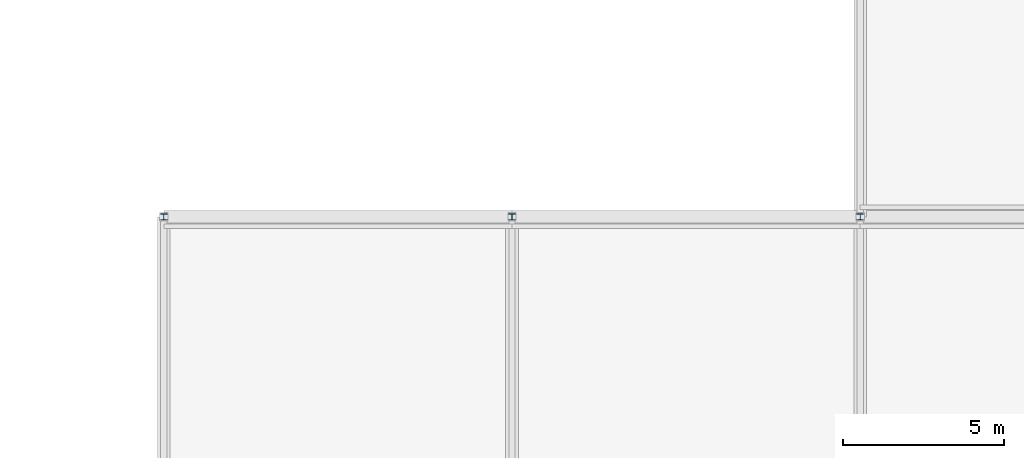
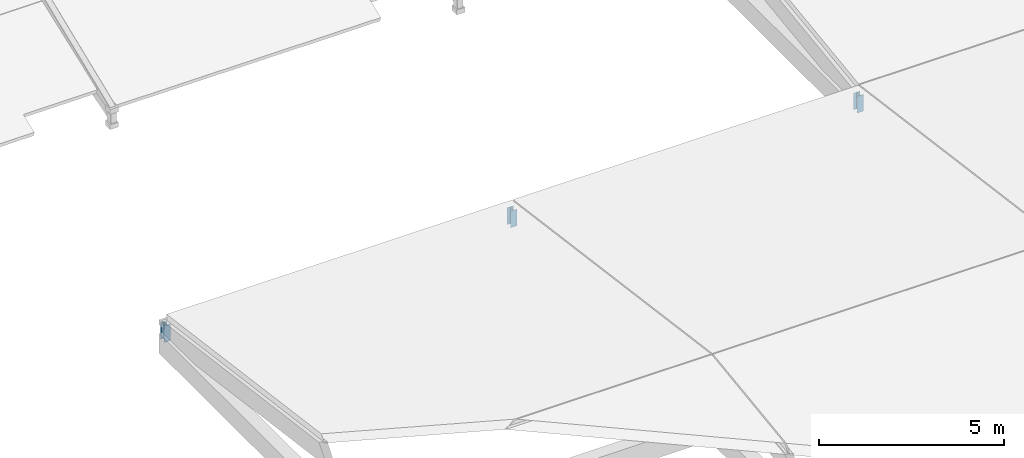
# One storey, part 84 of 112: 3 members.
"""IFC4 building model written with IfcOpenShell, lengths in metres."""

from ifc_helpers import new_model, si_unit, direction, frame, origin, origin_2d, place, context, subcontext, project, spatial, i_section, extrude, material, material_profile, profile_set, type_object, element, save


model = new_model("IFC4")

# Units and contexts
model_context = context("Model", 3, precision=1e-05, world=origin(), true_north=direction((0.0, 1.0)))
body_context = subcontext(model_context, "Body", "Model", "MODEL_VIEW")
ifc_project = project(units=[si_unit("LENGTHUNIT", "METRE"), si_unit("AREAUNIT", "SQUARE_METRE"), si_unit("VOLUMEUNIT", "CUBIC_METRE"), si_unit("PLANEANGLEUNIT", "RADIAN"), si_unit("MASSUNIT", "GRAM", prefix="KILO")], contexts=[model_context])

# Site, building, storey
site_placement = place(None, origin())
site = spatial("IfcSite", under=ifc_project, at=site_placement, CompositionType="ELEMENT")
building_placement = place(site_placement, origin())
building = spatial("IfcBuilding", under=site, at=building_placement, Name="Zwinboog Wholesale Market", CompositionType="ELEMENT")
storey_placement = place(building_placement, frame((0.0, 0.0, 19.080078125)))
storey = spatial("IfcBuildingStorey", under=building, at=storey_placement, Name="Roof", CompositionType="ELEMENT", Elevation=19.080078125)

# Members
ifc_material = material(Name="Steel S355", Category="steel")
ifc_material_profile = material_profile(ifc_material, i_section(OverallWidth=0.199951171875, OverallDepth=0.18994140625, WebThickness=0.006591796875, FlangeThickness=0.010009765625, FilletRadius=0.01806640625, at=origin_2d()), Name="HEA 200")
ifc_profile_set = profile_set([ifc_material_profile], Name="Steel S355")
member_type = type_object("IfcMemberType", Name="MT-05", PredefinedType="BRACE", material=ifc_profile_set)
for number, where, z_axis, x_axis, name in (
    (1, (129.60009765625, 21.60009765625, -0.280029296875), (0.0, 0.0, 1.0), (1.0, 0.0, 0.0), "DB-02 (MEM-Roof-0900)"),
    (2, (140.39990234375, 21.60009765625, -0.280029296875), (0.0, 0.0, 1.0), (1.0, 0.0, 0.0), "DB-02 (MEM-Roof-0906)"),
    (3, (151.199951171875, 21.60009765625, -0.280029296875), (0.0, 0.0, 1.0), (1.0, 0.0, 0.0), "DB-02 (MEM-Roof-0912)"),
):
    element("IfcMember", number, at=place(storey_placement, frame(where, z_axis=z_axis, x_axis=x_axis)), inside=storey, type_object=member_type, Name=name, PredefinedType="BRACE", context=body_context, shape_type="SweptSolid", body=[
        extrude(i_section(OverallWidth=0.199951171875, OverallDepth=0.18994140625, WebThickness=0.006591796875, FlangeThickness=0.010009765625, FilletRadius=0.01806640625, at=origin_2d()), origin(), (0.0, 0.0, 1.0), 0.550048828125),
    ])

save(model, "model.ifc")
